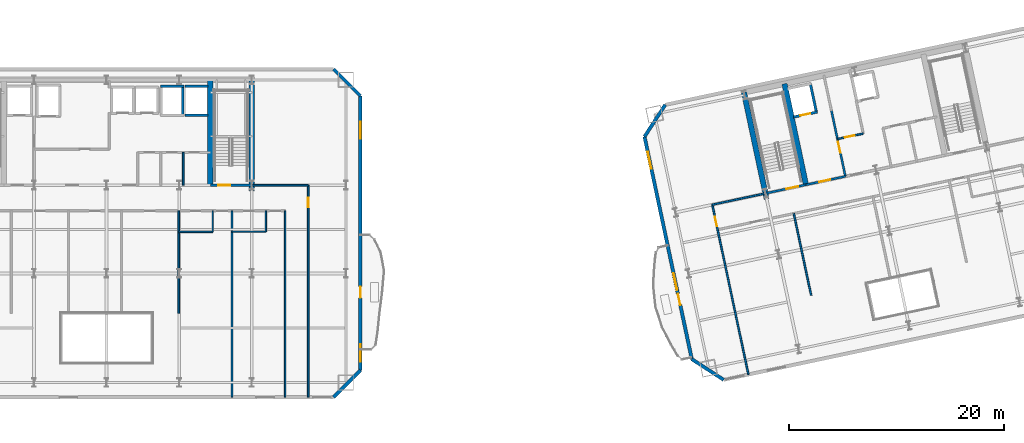
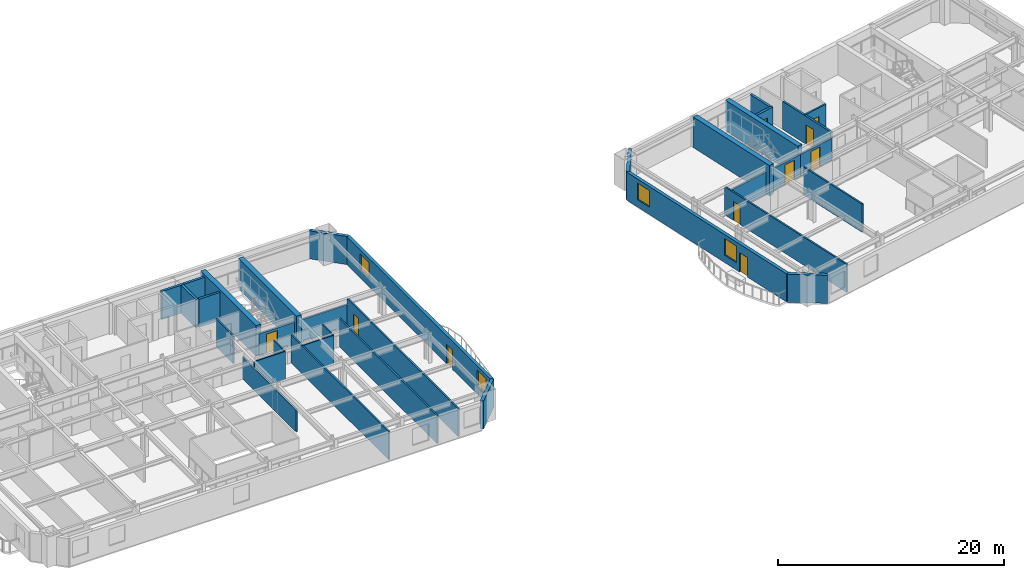
# One storey, part 7 of 14: 34 walls, 10 doors, 4 windows, 14 openings.
"""IFC4 building model written with IfcOpenShell, lengths in metres."""

from ifc_helpers import new_model, si_unit, direction, frame, frame_2d, origin, place, context, subcontext, project, spatial, rectangle, extrude, material, layer, layer_set, type_object, element, fill, save


model = new_model("IFC4")

# Units and contexts
model_context = context("Model", 3, precision=1e-05, world=origin(), true_north=direction((0.0, 1.0)))
body_context = subcontext(model_context, "Body", "Model", "MODEL_VIEW")
ifc_project = project(units=[si_unit("LENGTHUNIT", "METRE"), si_unit("AREAUNIT", "SQUARE_METRE"), si_unit("VOLUMEUNIT", "CUBIC_METRE"), si_unit("PLANEANGLEUNIT", "RADIAN"), si_unit("MASSUNIT", "GRAM", prefix="KILO")], contexts=[model_context])

# Site, building, storey
site_placement = place(None, origin())
site = spatial("IfcSite", under=ifc_project, at=site_placement, CompositionType="ELEMENT")
building_placement = place(site_placement, origin())
building = spatial("IfcBuilding", under=site, at=building_placement, Name="Haevon Station Towers", CompositionType="ELEMENT")
storey_placement = place(building_placement, frame((0.0, 0.0, 106.5)))
storey = spatial("IfcBuildingStorey", under=building, at=storey_placement, Name="L28", CompositionType="ELEMENT", Elevation=106.5)

# Wall, opening, door
ifc_material_1 = material(Name="Gypsum board on steel stud", Category="steel")
ifc_layer_1 = layer(ifc_material_1, 0.199951171875)
ifc_layer_set_1 = layer_set([ifc_layer_1], Name="Gypsum board on steel stud")
wall_type_1 = type_object("IfcWallType", Name="WL-COR200", PredefinedType="PARTITIONING", material=ifc_layer_set_1)
wall_1_placement = place(storey_placement, frame((47.14990234375, 38.199951171875, 0.0), z_axis=(0.0, 0.0, 1.0), x_axis=(1.0, 0.0, 0.0)))
wall_1 = element("IfcWall", 1, at=wall_1_placement, inside=storey, type_object=wall_type_1, Name="WL-ST-ST2-L28", PredefinedType="PARTITIONING", context=body_context, shape_type="SweptSolid", body=[
    extrude(rectangle(XDim=3.85009765625, YDim=0.199951171875, at=frame_2d((1.925048828125, 0.0))), origin(), (0.0, 0.0, 1.0), 2.3798828125),
])
opening_1_placement = place(wall_1_placement, frame((0.75, 0.0, 0.0)))
opening_1 = element("IfcOpeningElement", 2, at=opening_1_placement, cuts=wall_1, Name="Opening DR-ST-ST2-L28", PredefinedType="OPENING", context=body_context, shape_type="SweptSolid", body=[
    extrude(rectangle(XDim=1.1201171875, YDim=2.10009765625, at=frame_2d((0.56005859375, 1.050048828125))), frame((0.0, 0.10986328125, 0.0), z_axis=(0.0, -1.0, 0.0), x_axis=(1.0, 0.0, 0.0)), (0.0, 0.0, 1.0), 0.219970703125),
])
ifc_material_2 = material(Name="Engineered oak timber", Category="wood")
door_type_1 = type_object("IfcDoorType", Name="DR-ST-1120", OperationType="NOTDEFINED", PredefinedType="DOOR", material=ifc_material_2)
door_1_placement = place(opening_1_placement, origin())
door_1 = element("IfcDoor", 3, at=door_1_placement, inside=storey, type_object=door_type_1, Name="L28 Escape Stair ST2 Fire Door", OperationType="SINGLE_SWING_RIGHT", OverallHeight=2.10009765625, OverallWidth=1.1201171875, PredefinedType="DOOR", context=body_context, shape_type="SweptSolid", body=[
    extrude(rectangle(XDim=1.1201171875, YDim=2.10009765625, at=frame_2d((0.56005859375, 1.050048828125))), frame((0.0, 0.02490234375, 0.0), z_axis=(0.0, -1.0, 0.0), x_axis=(1.0, 0.0, 0.0)), (0.0, 0.0, 1.0), 0.050048828125),
])
fill(opening_1, door_1)

wall_2_placement = place(storey_placement, frame((98.75244140625, 37.4423828125, 0.0), z_axis=(0.0, 0.0, 1.0), x_axis=(0.978143537786, 0.207930804564, 0.0)))
wall_2 = element("IfcWall", 4, at=wall_2_placement, inside=storey, type_object=wall_type_1, Name="WL-ST-ST3-L28", PredefinedType="PARTITIONING", context=body_context, shape_type="SweptSolid", body=[
    extrude(rectangle(XDim=3.85009765625, YDim=0.199951171875, at=frame_2d((1.925048828125, 0.0))), origin(), (0.0, 0.0, 1.0), 2.3798828125),
])
opening_2_placement = place(wall_2_placement, frame((2.0, 0.0, 0.0)))
opening_2 = element("IfcOpeningElement", 5, at=opening_2_placement, cuts=wall_2, Name="Opening DR-ST-ST3-L28", PredefinedType="OPENING", context=body_context, shape_type="SweptSolid", body=[
    extrude(rectangle(XDim=1.1201171875, YDim=2.10009765625, at=frame_2d((0.56005859375, 1.050048828125))), frame((0.0, 0.10986328125, 0.0), z_axis=(0.0, -1.0, 0.0), x_axis=(1.0, 0.0, 0.0)), (0.0, 0.0, 1.0), 0.219970703125),
])
door_2_placement = place(opening_2_placement, origin())
door_2 = element("IfcDoor", 6, at=door_2_placement, inside=storey, type_object=door_type_1, Name="L28 Escape Stair ST3 Fire Door", OperationType="SINGLE_SWING_LEFT", OverallHeight=2.10009765625, OverallWidth=1.1201171875, PredefinedType="DOOR", context=body_context, shape_type="SweptSolid", body=[
    extrude(rectangle(XDim=1.1201171875, YDim=2.10009765625, at=frame_2d((0.56005859375, 1.050048828125))), frame((0.0, 0.02490234375, 0.0), z_axis=(0.0, -1.0, 0.0), x_axis=(1.0, 0.0, 0.0)), (0.0, 0.0, 1.0), 0.050048828125),
])
fill(opening_2, door_2)

wall_3_placement = place(storey_placement, frame((106.186279296875, 39.0224609375, 0.0), z_axis=(0.0, 0.0, 1.0), x_axis=(-0.207916691923, 0.978146537703, 0.0)))
wall_3 = element("IfcWall", 7, at=wall_3_placement, inside=storey, type_object=wall_type_1, Name="WL-T2FFL-L28-E", PredefinedType="PARTITIONING", context=body_context, shape_type="SweptSolid", body=[
    extrude(rectangle(XDim=6.35009765625, YDim=0.199951171875, at=frame_2d((3.175048828125, 0.0))), origin(), (0.0, 0.0, 1.0), 3.030029296875),
])
opening_3_placement = place(wall_3_placement, frame((2.239990234375, 0.0, 0.0)))
opening_3 = element("IfcOpeningElement", 8, at=opening_3_placement, cuts=wall_3, Name="Opening DR-T2FFL-L28-E", PredefinedType="OPENING", context=body_context, shape_type="SweptSolid", body=[
    extrude(rectangle(XDim=1.050048828125, YDim=2.10009765625, at=frame_2d((0.52490234375, 1.050048828125))), frame((0.0, 0.10986328125, 0.0), z_axis=(0.0, -1.0, 0.0), x_axis=(1.0, 0.0, 0.0)), (0.0, 0.0, 1.0), 0.219970703125),
])
door_type_2 = type_object("IfcDoorType", Name="DR-FD60-1050", OperationType="NOTDEFINED", PredefinedType="DOOR", material=ifc_material_2)
door_3_placement = place(opening_3_placement, origin())
door_3 = element("IfcDoor", 9, at=door_3_placement, inside=storey, type_object=door_type_2, Name="L28 Tower 2 Firefighting Lift Lobby Door E", OperationType="SINGLE_SWING_LEFT", OverallHeight=2.10009765625, OverallWidth=1.050048828125, PredefinedType="DOOR", context=body_context, shape_type="SweptSolid", body=[
    extrude(rectangle(XDim=1.050048828125, YDim=2.10009765625, at=frame_2d((0.52490234375, 1.050048828125))), frame((0.0, 0.02490234375, 0.0), z_axis=(0.0, -1.0, 0.0), x_axis=(1.0, 0.0, 0.0)), (0.0, 0.0, 1.0), 0.050048828125),
])
fill(opening_3, door_3)

wall_4_placement = place(storey_placement, frame((102.518310546875, 38.242919921875, 0.0), z_axis=(0.0, 0.0, 1.0), x_axis=(0.978153555683, 0.20788367301, 0.0)))
wall_4 = element("IfcWall", 10, at=wall_4_placement, inside=storey, type_object=wall_type_1, Name="WL-T2FFL-L28-S", PredefinedType="PARTITIONING", context=body_context, shape_type="SweptSolid", body=[
    extrude(rectangle(XDim=3.75, YDim=0.199951171875, at=frame_2d((1.875, 0.0))), origin(), (0.0, 0.0, 1.0), 2.3798828125),
])
opening_4_placement = place(wall_4_placement, frame((1.25, 0.0, 0.0)))
opening_4 = element("IfcOpeningElement", 11, at=opening_4_placement, cuts=wall_4, Name="Opening DR-T2FFL-L28-S", PredefinedType="OPENING", context=body_context, shape_type="SweptSolid", body=[
    extrude(rectangle(XDim=1.050048828125, YDim=2.10009765625, at=frame_2d((0.52490234375, 1.050048828125))), frame((0.0, 0.10986328125, 0.0), z_axis=(0.0, -1.0, 0.0), x_axis=(1.0, 0.0, 0.0)), (0.0, 0.0, 1.0), 0.219970703125),
])
door_4_placement = place(opening_4_placement, origin())
door_4 = element("IfcDoor", 12, at=door_4_placement, inside=storey, type_object=door_type_2, Name="L28 Tower 2 Firefighting Lift Lobby Door S", OperationType="SINGLE_SWING_RIGHT", OverallHeight=2.10009765625, OverallWidth=1.050048828125, PredefinedType="DOOR", context=body_context, shape_type="SweptSolid", body=[
    extrude(rectangle(XDim=1.050048828125, YDim=2.10009765625, at=frame_2d((0.52490234375, 1.050048828125))), frame((0.0, 0.02490234375, 0.0), z_axis=(0.0, -1.0, 0.0), x_axis=(1.0, 0.0, 0.0)), (0.0, 0.0, 1.0), 0.050048828125),
])
fill(opening_4, door_4)

# Walls
ifc_material_3 = material(Name="Concrete C60/75", Category="concrete")
ifc_layer_2 = layer(ifc_material_3, 0.5)
ifc_layer_set_2 = layer_set([ifc_layer_2], Name="Concrete C60/75")
wall_type_2 = type_object("IfcWallType", Name="WL-CR500", PredefinedType="SHEAR", material=ifc_layer_set_2)
wall_5_placement = place(storey_placement, frame((51.0, 37.679931640625, 0.0), z_axis=(0.0, 0.0, 1.0), x_axis=(0.0, 1.0, 0.0)))
element("IfcWall", 13, at=wall_5_placement, inside=storey, type_object=wall_type_2, Name="WL-T1CR-L28-E", PredefinedType="SHEAR", context=body_context, shape_type="SweptSolid", body=[
    extrude(rectangle(XDim=10.320068359375, YDim=0.5, at=frame_2d((5.16015625, 0.0))), origin(), (0.0, 0.0, 1.0), 3.300048828125),
])
wall_6_placement = place(storey_placement, frame((47.14990234375, 38.199951171875, 0.0), z_axis=(0.0, 0.0, 1.0), x_axis=(0.0, 1.0, 0.0)))
element("IfcWall", 14, at=wall_6_placement, inside=storey, type_object=wall_type_2, Name="WL-T1CR-L28-M2", PredefinedType="SHEAR", context=body_context, shape_type="SweptSolid", body=[
    extrude(rectangle(XDim=9.800048828125, YDim=0.5, at=frame_2d((4.89990234375, 0.0))), origin(), (0.0, 0.0, 1.0), 3.300048828125),
])
wall_7_placement = place(storey_placement, frame((98.8603515625, 36.933837890625, 0.0), z_axis=(0.0, 0.0, 1.0), x_axis=(-0.20790924889, 0.978148119778, 0.0)))
element("IfcWall", 15, at=wall_7_placement, inside=storey, type_object=wall_type_2, Name="WL-T2CR-L28-W", PredefinedType="SHEAR", context=body_context, shape_type="SweptSolid", body=[
    extrude(rectangle(XDim=10.119873046875, YDim=0.5, at=frame_2d((5.06005859375, 0.0))), origin(), (0.0, 0.0, 1.0), 3.300048828125),
])
wall_8_placement = place(storey_placement, frame((102.518310546875, 38.242919921875, 0.0), z_axis=(0.0, 0.0, 1.0), x_axis=(-0.207927495108, 0.978144241295, 0.0)))
element("IfcWall", 16, at=wall_8_placement, inside=storey, type_object=wall_type_2, Name="WL-T2CR-L28-M1", PredefinedType="SHEAR", context=body_context, shape_type="SweptSolid", body=[
    extrude(rectangle(XDim=9.599853515625, YDim=0.5, at=frame_2d((4.7998046875, 0.0))), origin(), (0.0, 0.0, 1.0), 3.300048828125),
])
ifc_material_4 = material(Name="Precast concrete C45/55", Category="concrete")
ifc_layer_3 = layer(ifc_material_4, 0.320068359375)
ifc_layer_set_3 = layer_set([ifc_layer_3], Name="Precast concrete C45/55")
wall_type_3 = type_object("IfcWallType", Name="WL-EXT-PIER320", PredefinedType="SOLIDWALL", material=ifc_layer_set_3)
wall_9_placement = place(storey_placement, frame((58.60009765625, 49.0, 0.0), z_axis=(0.0, 0.0, 1.0), x_axis=(0.707106781187, -0.707106781187, 0.0)))
element("IfcWall", 17, at=wall_9_placement, inside=storey, type_object=wall_type_3, Name="WL-T1-L28-NEC", PredefinedType="SOLIDWALL", context=body_context, shape_type="SweptSolid", body=[
    extrude(rectangle(XDim=3.53564453125, YDim=0.320068359375, at=frame_2d((1.767822265625, 0.0))), origin(), (0.0, 0.0, 1.0), 3.030029296875),
])

# Wall, openings, door, windows
wall_10_placement = place(storey_placement, frame((61.10009765625, 46.5, 0.0), z_axis=(0.0, 0.0, 1.0), x_axis=(0.0, -1.0, 0.0)))
wall_10 = element("IfcWall", 18, at=wall_10_placement, inside=storey, type_object=wall_type_3, Name="WL-T1-L28-E", PredefinedType="SOLIDWALL", context=body_context, shape_type="SweptSolid", body=[
    extrude(rectangle(XDim=25.5, YDim=0.320068359375, at=frame_2d((12.75, 0.0))), origin(), (0.0, 0.0, 1.0), 3.030029296875),
])
opening_5_placement = place(wall_10_placement, frame((17.72509765625, 0.0, 0.0)))
opening_5 = element("IfcOpeningElement", 19, at=opening_5_placement, cuts=wall_10, Name="Opening DR-T1-SCAL-L28-E", PredefinedType="OPENING", context=body_context, shape_type="SweptSolid", body=[
    extrude(rectangle(XDim=1.050048828125, YDim=2.10009765625, at=frame_2d((0.52490234375, 1.050048828125))), frame((0.0, 0.169921875, 0.0), z_axis=(0.0, -1.0, 0.0), x_axis=(1.0, 0.0, 0.0)), (0.0, 0.0, 1.0), 0.340087890625),
])
opening_6_placement = place(wall_10_placement, frame((2.392822265625, 0.0, 0.800048828125)))
opening_6 = element("IfcOpeningElement", 20, at=opening_6_placement, cuts=wall_10, Name="Opening WN-END160", PredefinedType="OPENING", context=body_context, shape_type="SweptSolid", body=[
    extrude(rectangle(XDim=1.60009765625, YDim=1.800048828125, at=frame_2d((0.800048828125, 0.89990234375))), frame((0.0, 0.169921875, 0.0), z_axis=(0.0, -1.0, 0.0), x_axis=(1.0, 0.0, 0.0)), (0.0, 0.0, 1.0), 0.340087890625),
])
opening_7_placement = place(wall_10_placement, frame((23.10009765625, 0.0, 0.800048828125)))
opening_7 = element("IfcOpeningElement", 21, at=opening_7_placement, cuts=wall_10, Name="Opening WN-END160", PredefinedType="OPENING", context=body_context, shape_type="SweptSolid", body=[
    extrude(rectangle(XDim=1.60009765625, YDim=1.800048828125, at=frame_2d((0.800048828125, 0.89990234375))), frame((0.0, 0.169921875, 0.0), z_axis=(0.0, -1.0, 0.0), x_axis=(1.0, 0.0, 0.0)), (0.0, 0.0, 1.0), 0.340087890625),
])
ifc_material_5 = material(Name="Thermally broken anodised aluminium and laminated safety glass", Category="aluminium")
door_type_3 = type_object("IfcDoorType", Name="DR-BALC-1050", OperationType="NOTDEFINED", PredefinedType="DOOR", material=ifc_material_5)
door_5_placement = place(opening_5_placement, origin())
door_5 = element("IfcDoor", 22, at=door_5_placement, inside=storey, type_object=door_type_3, Name="Tower 1 L28 East Scalloped Balcony Door", OperationType="SINGLE_SWING_LEFT", OverallHeight=2.10009765625, OverallWidth=1.050048828125, PredefinedType="DOOR", context=body_context, shape_type="SweptSolid", body=[
    extrude(rectangle(XDim=1.050048828125, YDim=2.10009765625, at=frame_2d((0.52490234375, 1.050048828125))), frame((0.0, 0.02490234375, 0.0), z_axis=(0.0, -1.0, 0.0), x_axis=(1.0, 0.0, 0.0)), (0.0, 0.0, 1.0), 0.050048828125),
])
fill(opening_5, door_5)
ifc_material_6 = material(Name="Low-E triple glazing in thermally broken aluminium", Category="aluminium")
window_type = type_object("IfcWindowType", Name="WN-END160", PartitioningType="SINGLE_PANEL", PredefinedType="WINDOW", material=ifc_material_6)
window_1_placement = place(opening_6_placement, origin())
window_1 = element("IfcWindow", 23, at=window_1_placement, inside=storey, type_object=window_type, Name="WN-T1-L28-E01", OverallHeight=1.800048828125, OverallWidth=1.60009765625, PartitioningType="SINGLE_PANEL", PredefinedType="WINDOW", context=body_context, shape_type="SweptSolid", body=[
    extrude(rectangle(XDim=1.60009765625, YDim=1.800048828125, at=frame_2d((0.800048828125, 0.89990234375))), frame((0.0, 0.030029296875, 0.0), z_axis=(0.0, -1.0, 0.0), x_axis=(1.0, 0.0, 0.0)), (0.0, 0.0, 1.0), 0.06005859375),
])
fill(opening_6, window_1)
window_2_placement = place(opening_7_placement, origin())
window_2 = element("IfcWindow", 24, at=window_2_placement, inside=storey, type_object=window_type, Name="WN-T1-L28-E02", OverallHeight=1.800048828125, OverallWidth=1.60009765625, PartitioningType="SINGLE_PANEL", PredefinedType="WINDOW", context=body_context, shape_type="SweptSolid", body=[
    extrude(rectangle(XDim=1.60009765625, YDim=1.800048828125, at=frame_2d((0.800048828125, 0.89990234375))), frame((0.0, 0.030029296875, 0.0), z_axis=(0.0, -1.0, 0.0), x_axis=(1.0, 0.0, 0.0)), (0.0, 0.0, 1.0), 0.06005859375),
])
fill(opening_7, window_2)

# Walls
for number, where, z_axis, x_axis, name in (
    (25, (61.10009765625, 21.0, 0.0), (0.0, 0.0, 1.0), (-0.707106781187, -0.707106781187, 0.0), "WL-T1-L28-SEC"),
    (26, (94.871826171875, 20.106689453125, 0.0), (0.0, 0.0, 1.0), (-0.838640767148, 0.544684921471, 0.0), "WL-T2-L28-SWC"),
):
    element("IfcWall", number, at=place(storey_placement, frame(where, z_axis=z_axis, x_axis=x_axis)), inside=storey, type_object=wall_type_3, Name=name, PredefinedType="SOLIDWALL", context=body_context, shape_type="SweptSolid", body=[
        extrude(rectangle(XDim=3.53564453125, YDim=0.320068359375, at=frame_2d((1.767822265625, 0.0))), origin(), (0.0, 0.0, 1.0), 3.030029296875),
    ])

# Wall, openings, door, windows
wall_11_placement = place(storey_placement, frame((91.90673828125, 22.032470703125, 0.0), z_axis=(0.0, 0.0, 1.0), x_axis=(-0.207918258146, 0.978146204782, 0.0)))
wall_11 = element("IfcWall", 27, at=wall_11_placement, inside=storey, type_object=wall_type_3, Name="WL-T2-L28-W", PredefinedType="SOLIDWALL", context=body_context, shape_type="SweptSolid", body=[
    extrude(rectangle(XDim=21.14990234375, YDim=0.320068359375, at=frame_2d((10.574951171875, 0.0))), origin(), (0.0, 0.0, 1.0), 3.030029296875),
])
opening_8_placement = place(wall_11_placement, frame((5.14990234375, 0.0, 0.0)))
opening_8 = element("IfcOpeningElement", 28, at=opening_8_placement, cuts=wall_11, Name="Opening DR-T2-SCAL-L28-W", PredefinedType="OPENING", context=body_context, shape_type="SweptSolid", body=[
    extrude(rectangle(XDim=1.050048828125, YDim=2.10009765625, at=frame_2d((0.52490234375, 1.050048828125))), frame((0.0, 0.169921875, 0.0), z_axis=(0.0, -1.0, 0.0), x_axis=(1.0, 0.0, 0.0)), (0.0, 0.0, 1.0), 0.340087890625),
])
opening_9_placement = place(wall_11_placement, frame((6.569580078125, 0.0, 0.800048828125)))
opening_9 = element("IfcOpeningElement", 29, at=opening_9_placement, cuts=wall_11, Name="Opening WN-END160", PredefinedType="OPENING", context=body_context, shape_type="SweptSolid", body=[
    extrude(rectangle(XDim=1.60009765625, YDim=1.800048828125, at=frame_2d((0.800048828125, 0.89990234375))), frame((0.0, 0.169921875, 0.0), z_axis=(0.0, -1.0, 0.0), x_axis=(1.0, 0.0, 0.0)), (0.0, 0.0, 1.0), 0.340087890625),
])
opening_10_placement = place(wall_11_placement, frame((18.10888671875, 0.0, 0.800048828125)))
opening_10 = element("IfcOpeningElement", 30, at=opening_10_placement, cuts=wall_11, Name="Opening WN-END160", PredefinedType="OPENING", context=body_context, shape_type="SweptSolid", body=[
    extrude(rectangle(XDim=1.60009765625, YDim=1.800048828125, at=frame_2d((0.800048828125, 0.89990234375))), frame((0.0, 0.169921875, 0.0), z_axis=(0.0, -1.0, 0.0), x_axis=(1.0, 0.0, 0.0)), (0.0, 0.0, 1.0), 0.340087890625),
])
door_6_placement = place(opening_8_placement, origin())
door_6 = element("IfcDoor", 31, at=door_6_placement, inside=storey, type_object=door_type_3, Name="Tower 2 L28 West Scalloped Balcony Door", OperationType="SINGLE_SWING_RIGHT", OverallHeight=2.10009765625, OverallWidth=1.050048828125, PredefinedType="DOOR", context=body_context, shape_type="SweptSolid", body=[
    extrude(rectangle(XDim=1.050048828125, YDim=2.10009765625, at=frame_2d((0.52490234375, 1.050048828125))), frame((0.0, 0.02490234375, 0.0), z_axis=(0.0, -1.0, 0.0), x_axis=(1.0, 0.0, 0.0)), (0.0, 0.0, 1.0), 0.050048828125),
])
fill(opening_8, door_6)
window_3_placement = place(opening_9_placement, origin())
window_3 = element("IfcWindow", 32, at=window_3_placement, inside=storey, type_object=window_type, Name="WN-T2-L28-W01", OverallHeight=1.800048828125, OverallWidth=1.60009765625, PartitioningType="SINGLE_PANEL", PredefinedType="WINDOW", context=body_context, shape_type="SweptSolid", body=[
    extrude(rectangle(XDim=1.60009765625, YDim=1.800048828125, at=frame_2d((0.800048828125, 0.89990234375))), frame((0.0, 0.030029296875, 0.0), z_axis=(0.0, -1.0, 0.0), x_axis=(1.0, 0.0, 0.0)), (0.0, 0.0, 1.0), 0.06005859375),
])
fill(opening_9, window_3)
window_4_placement = place(opening_10_placement, origin())
window_4 = element("IfcWindow", 33, at=window_4_placement, inside=storey, type_object=window_type, Name="WN-T2-L28-W02", OverallHeight=1.800048828125, OverallWidth=1.60009765625, PartitioningType="SINGLE_PANEL", PredefinedType="WINDOW", context=body_context, shape_type="SweptSolid", body=[
    extrude(rectangle(XDim=1.60009765625, YDim=1.800048828125, at=frame_2d((0.800048828125, 0.89990234375))), frame((0.0, 0.030029296875, 0.0), z_axis=(0.0, -1.0, 0.0), x_axis=(1.0, 0.0, 0.0)), (0.0, 0.0, 1.0), 0.06005859375),
])
fill(opening_10, window_4)

# Walls
wall_12_placement = place(storey_placement, frame((87.50927734375, 42.72021484375, 0.0), z_axis=(0.0, 0.0, 1.0), x_axis=(0.544684921471, 0.838640767148, 0.0)))
element("IfcWall", 34, at=wall_12_placement, inside=storey, type_object=wall_type_3, Name="WL-T2-L28-NWC", PredefinedType="SOLIDWALL", context=body_context, shape_type="SweptSolid", body=[
    extrude(rectangle(XDim=3.53564453125, YDim=0.320068359375, at=frame_2d((1.767822265625, 0.0))), origin(), (0.0, 0.0, 1.0), 3.030029296875),
])
ifc_layer_4 = layer(ifc_material_1, 0.125)
ifc_layer_set_4 = layer_set([ifc_layer_4], Name="Gypsum board on steel stud")
wall_type_4 = type_object("IfcWallType", Name="WL-PRT125", PredefinedType="PARTITIONING", material=ifc_layer_set_4)
wall_13_placement = place(storey_placement, frame((47.37109375, 33.8701171875, 0.0), z_axis=(0.0, 0.0, 1.0), x_axis=(0.0, 1.0, 0.0)))
element("IfcWall", 35, at=wall_13_placement, inside=storey, type_object=wall_type_4, Name="WL-T1PT-L28-21", PredefinedType="PARTITIONING", context=body_context, shape_type="SweptSolid", body=[
    extrude(rectangle(XDim=1.949951171875, YDim=0.125, at=frame_2d((0.97509765625, 0.0))), origin(), (0.0, 0.0, 1.0), 3.030029296875),
])
wall_14_placement = place(storey_placement, frame((49.15087890625, 33.8701171875, 0.0), z_axis=(0.0, 0.0, 1.0), x_axis=(1.0, 0.0, 0.0)))
element("IfcWall", 36, at=wall_14_placement, inside=storey, type_object=wall_type_4, Name="WL-T1PT-L28-23", PredefinedType="PARTITIONING", context=body_context, shape_type="SweptSolid", body=[
    extrude(rectangle(XDim=3.169189453125, YDim=0.125, at=frame_2d((1.58447265625, 0.0))), origin(), (0.0, 0.0, 1.0), 3.030029296875),
])
ifc_layer_5 = layer(ifc_material_1, 0.139892578125)
ifc_layer_set_5 = layer_set([ifc_layer_5], Name="Gypsum board on steel stud")
wall_type_5 = type_object("IfcWallType", Name="WL-PRT140", PredefinedType="PARTITIONING", material=ifc_layer_set_5)
wall_15_placement = place(storey_placement, frame((44.201904296875, 33.8701171875, 0.0), z_axis=(0.0, 0.0, 1.0), x_axis=(1.0, 0.0, 0.0)))
element("IfcWall", 37, at=wall_15_placement, inside=storey, type_object=wall_type_5, Name="WL-T1PT-L28-20", PredefinedType="PARTITIONING", context=body_context, shape_type="SweptSolid", body=[
    extrude(rectangle(XDim=3.169189453125, YDim=0.139892578125, at=frame_2d((1.58447265625, 0.0))), origin(), (0.0, 0.0, 1.0), 3.030029296875),
])
wall_16_placement = place(storey_placement, frame((52.320068359375, 33.8701171875, 0.0), z_axis=(0.0, 0.0, 1.0), x_axis=(0.0, 1.0, 0.0)))
element("IfcWall", 38, at=wall_16_placement, inside=storey, type_object=wall_type_5, Name="WL-T1PT-L28-24", PredefinedType="PARTITIONING", context=body_context, shape_type="SweptSolid", body=[
    extrude(rectangle(XDim=1.949951171875, YDim=0.139892578125, at=frame_2d((0.97509765625, 0.0))), origin(), (0.0, 0.0, 1.0), 3.030029296875),
])
ifc_layer_6 = layer(ifc_material_1, 0.159912109375)
ifc_layer_set_6 = layer_set([ifc_layer_6], Name="Gypsum board on steel stud")
wall_type_6 = type_object("IfcWallType", Name="WL-PRT160", PredefinedType="PARTITIONING", material=ifc_layer_set_6)
wall_17_placement = place(storey_placement, frame((44.6298828125, 38.199951171875, 0.0), z_axis=(0.0, 0.0, 1.0), x_axis=(0.0, 1.0, 0.0)))
element("IfcWall", 39, at=wall_17_placement, inside=storey, type_object=wall_type_6, Name="WL-T1CW-L28-06", PredefinedType="PARTITIONING", context=body_context, shape_type="SweptSolid", body=[
    extrude(rectangle(XDim=3.050048828125, YDim=0.159912109375, at=frame_2d((1.52490234375, 0.0))), origin(), (0.0, 0.0, 1.0), 3.030029296875),
])
wall_18_placement = place(storey_placement, frame((54.10009765625, 18.5, 0.0), z_axis=(0.0, 0.0, 1.0), x_axis=(0.0, 1.0, 0.0)))
element("IfcWall", 40, at=wall_18_placement, inside=storey, type_object=wall_type_6, Name="WL-T1PT-L28-01", PredefinedType="PARTITIONING", context=body_context, shape_type="SweptSolid", body=[
    extrude(rectangle(XDim=17.320068359375, YDim=0.159912109375, at=frame_2d((8.66015625, 0.0))), origin(), (0.0, 0.0, 1.0), 3.030029296875),
])
wall_19_placement = place(storey_placement, frame((51.0, 38.199951171875, 0.0), z_axis=(0.0, 0.0, 1.0), x_axis=(1.0, 0.0, 0.0)))
element("IfcWall", 41, at=wall_19_placement, inside=storey, type_object=wall_type_6, Name="WL-T1PT-L28-03", PredefinedType="PARTITIONING", context=body_context, shape_type="SweptSolid", body=[
    extrude(rectangle(XDim=5.25, YDim=0.159912109375, at=frame_2d((2.625, 0.0))), origin(), (0.0, 0.0, 1.0), 2.3798828125),
])

# Wall, opening, door
wall_20_placement = place(storey_placement, frame((56.25, 18.5, 0.0), z_axis=(0.0, 0.0, 1.0), x_axis=(0.0, 1.0, 0.0)))
wall_20 = element("IfcWall", 42, at=wall_20_placement, inside=storey, type_object=wall_type_6, Name="WL-T1PT-L28-05", PredefinedType="PARTITIONING", context=body_context, shape_type="SweptSolid", body=[
    extrude(rectangle(XDim=19.699951171875, YDim=0.159912109375, at=frame_2d((9.85009765625, 0.0))), origin(), (0.0, 0.0, 1.0), 3.030029296875),
])
opening_11_placement = place(wall_20_placement, frame((17.639892578125, 0.0, 0.0)))
opening_11 = element("IfcOpeningElement", 43, at=opening_11_placement, cuts=wall_20, Name="Opening DR-WL-T1PT-L28-05-01", PredefinedType="OPENING", context=body_context, shape_type="SweptSolid", body=[
    extrude(rectangle(XDim=0.89990234375, YDim=2.050048828125, at=frame_2d((0.449951171875, 1.02490234375))), frame((0.0, 0.08984375, 0.0), z_axis=(0.0, -1.0, 0.0), x_axis=(1.0, 0.0, 0.0)), (0.0, 0.0, 1.0), 0.179931640625),
])
door_type_4 = type_object("IfcDoorType", Name="DR-INT-900", OperationType="NOTDEFINED", PredefinedType="DOOR", material=ifc_material_2)
door_7_placement = place(opening_11_placement, origin())
door_7 = element("IfcDoor", 44, at=door_7_placement, inside=storey, type_object=door_type_4, Name="L28 Tower 1 Room Door 5-1", OperationType="SINGLE_SWING_RIGHT", OverallHeight=2.050048828125, OverallWidth=0.89990234375, PredefinedType="DOOR", context=body_context, shape_type="SweptSolid", body=[
    extrude(rectangle(XDim=0.89990234375, YDim=2.050048828125, at=frame_2d((0.449951171875, 1.02490234375))), frame((0.0, 0.02490234375, 0.0), z_axis=(0.0, -1.0, 0.0), x_axis=(1.0, 0.0, 0.0)), (0.0, 0.0, 1.0), 0.050048828125),
])
fill(opening_11, door_7)

# Walls
wall_21_placement = place(storey_placement, frame((44.201904296875, 26.300048828125, 0.0), z_axis=(0.0, 0.0, 1.0), x_axis=(0.0, 1.0, 0.0)))
element("IfcWall", 45, at=wall_21_placement, inside=storey, type_object=wall_type_6, Name="WL-T1PT-L28-18", PredefinedType="PARTITIONING", context=body_context, shape_type="SweptSolid", body=[
    extrude(rectangle(XDim=9.52001953125, YDim=0.159912109375, at=frame_2d((4.760009765625, 0.0))), origin(), (0.0, 0.0, 1.0), 2.3798828125),
])
wall_22_placement = place(storey_placement, frame((49.15087890625, 18.5, 0.0), z_axis=(0.0, 0.0, 1.0), x_axis=(0.0, 1.0, 0.0)))
element("IfcWall", 46, at=wall_22_placement, inside=storey, type_object=wall_type_6, Name="WL-T1PT-L28-22", PredefinedType="PARTITIONING", context=body_context, shape_type="SweptSolid", body=[
    extrude(rectangle(XDim=17.320068359375, YDim=0.159912109375, at=frame_2d((8.66015625, 0.0))), origin(), (0.0, 0.0, 1.0), 3.030029296875),
])

# Wall, opening, door
wall_23_placement = place(storey_placement, frame((105.4482421875, 42.494873046875, 0.0), z_axis=(0.0, 0.0, 1.0), x_axis=(0.978136559131, 0.207963630695, 0.0)))
wall_23 = element("IfcWall", 47, at=wall_23_placement, inside=storey, type_object=wall_type_6, Name="WL-T2CW-L28-02", PredefinedType="PARTITIONING", context=body_context, shape_type="SweptSolid", body=[
    extrude(rectangle(XDim=2.449951171875, YDim=0.159912109375, at=frame_2d((1.22509765625, 0.0))), origin(), (0.0, 0.0, 1.0), 3.030029296875),
])
opening_12_placement = place(wall_23_placement, frame((0.719970703125, 0.0, 0.0)))
opening_12 = element("IfcOpeningElement", 48, at=opening_12_placement, cuts=wall_23, Name="Opening DR-WL-T2CW-L28-02-1", PredefinedType="OPENING", context=body_context, shape_type="SweptSolid", body=[
    extrude(rectangle(XDim=0.89990234375, YDim=2.10009765625, at=frame_2d((0.449951171875, 1.050048828125))), frame((0.0, 0.08984375, 0.0), z_axis=(0.0, -1.0, 0.0), x_axis=(1.0, 0.0, 0.0)), (0.0, 0.0, 1.0), 0.179931640625),
])
door_type_5 = type_object("IfcDoorType", Name="DR-FD60-900", OperationType="NOTDEFINED", PredefinedType="DOOR", material=ifc_material_2)
door_8_placement = place(opening_12_placement, origin())
door_8 = element("IfcDoor", 49, at=door_8_placement, inside=storey, type_object=door_type_5, Name="L28 Tower 2 Core Room Door 2-1", OperationType="SINGLE_SWING_LEFT", OverallHeight=2.10009765625, OverallWidth=0.89990234375, PredefinedType="DOOR", context=body_context, shape_type="SweptSolid", body=[
    extrude(rectangle(XDim=0.89990234375, YDim=2.10009765625, at=frame_2d((0.449951171875, 1.050048828125))), frame((0.0, 0.02490234375, 0.0), z_axis=(0.0, -1.0, 0.0), x_axis=(1.0, 0.0, 0.0)), (0.0, 0.0, 1.0), 0.050048828125),
])
fill(opening_12, door_8)

# Wall
wall_24_placement = place(storey_placement, frame((93.812744140625, 36.392578125, 0.0), z_axis=(0.0, 0.0, 1.0), x_axis=(0.978154058851, 0.207881305445, 0.0)))
element("IfcWall", 50, at=wall_24_placement, inside=storey, type_object=wall_type_6, Name="WL-T2PT-L28-02", PredefinedType="PARTITIONING", context=body_context, shape_type="SweptSolid", body=[
    extrude(rectangle(XDim=5.050048828125, YDim=0.159912109375, at=frame_2d((2.52490234375, 0.0))), origin(), (0.0, 0.0, 1.0), 2.3798828125),
])

# Wall, opening, door
wall_25_placement = place(storey_placement, frame((97.17041015625, 20.595458984375, 0.0), z_axis=(0.0, 0.0, 1.0), x_axis=(-0.20790485933, 0.978149052786, 0.0)))
wall_25 = element("IfcWall", 51, at=wall_25_placement, inside=storey, type_object=wall_type_6, Name="WL-T2PT-L28-04", PredefinedType="PARTITIONING", context=body_context, shape_type="SweptSolid", body=[
    extrude(rectangle(XDim=16.14990234375, YDim=0.159912109375, at=frame_2d((8.074951171875, 0.0))), origin(), (0.0, 0.0, 1.0), 3.030029296875),
])
opening_13_placement = place(wall_25_placement, frame((14.090087890625, 0.0, 0.0)))
opening_13 = element("IfcOpeningElement", 52, at=opening_13_placement, cuts=wall_25, Name="Opening DR-WL-T2PT-L28-04-01", PredefinedType="OPENING", context=body_context, shape_type="SweptSolid", body=[
    extrude(rectangle(XDim=0.89990234375, YDim=2.050048828125, at=frame_2d((0.449951171875, 1.02490234375))), frame((0.0, 0.08984375, 0.0), z_axis=(0.0, -1.0, 0.0), x_axis=(1.0, 0.0, 0.0)), (0.0, 0.0, 1.0), 0.179931640625),
])
door_9_placement = place(opening_13_placement, origin())
door_9 = element("IfcDoor", 53, at=door_9_placement, inside=storey, type_object=door_type_4, Name="L28 Tower 2 Room Door 4-1", OperationType="SINGLE_SWING_RIGHT", OverallHeight=2.050048828125, OverallWidth=0.89990234375, PredefinedType="DOOR", context=body_context, shape_type="SweptSolid", body=[
    extrude(rectangle(XDim=0.89990234375, YDim=2.050048828125, at=frame_2d((0.449951171875, 1.02490234375))), frame((0.0, 0.02490234375, 0.0), z_axis=(0.0, -1.0, 0.0), x_axis=(1.0, 0.0, 0.0)), (0.0, 0.0, 1.0), 0.050048828125),
])
fill(opening_13, door_9)

# Walls
wall_26_placement = place(storey_placement, frame((103.00244140625, 27.968994140625, 0.0), z_axis=(0.0, 0.0, 1.0), x_axis=(-0.207908735063, 0.978148228994, 0.0)))
element("IfcWall", 54, at=wall_26_placement, inside=storey, type_object=wall_type_6, Name="WL-T2PT-L28-10", PredefinedType="PARTITIONING", context=body_context, shape_type="SweptSolid", body=[
    extrude(rectangle(XDim=7.77001953125, YDim=0.159912109375, at=frame_2d((3.885009765625, 0.0))), origin(), (0.0, 0.0, 1.0), 3.030029296875),
])
ifc_material_7 = material(Name="Concrete C40/50", Category="concrete")
ifc_layer_7 = layer(ifc_material_7, 0.239990234375)
ifc_layer_set_7 = layer_set([ifc_layer_7], Name="Concrete C40/50")
wall_type_7 = type_object("IfcWallType", Name="WL-SHF240", PredefinedType="PARTITIONING", material=ifc_layer_set_7)
wall_27_placement = place(storey_placement, frame((42.52001953125, 47.39990234375, 0.0), z_axis=(0.0, 0.0, 1.0), x_axis=(1.0, 0.0, 0.0)))
element("IfcWall", 55, at=wall_27_placement, inside=storey, type_object=wall_type_7, Name="WL-SHF-PL5-L28-N", PredefinedType="PARTITIONING", context=body_context, shape_type="SweptSolid", body=[
    extrude(rectangle(XDim=2.159912109375, YDim=0.239990234375, at=frame_2d((1.080078125, 0.0))), origin(), (0.0, 0.0, 1.0), 3.030029296875),
])
wall_28_placement = place(storey_placement, frame((44.60009765625, 44.699951171875, 0.0), z_axis=(0.0, 0.0, 1.0), x_axis=(0.0, 1.0, 0.0)))
element("IfcWall", 56, at=wall_28_placement, inside=storey, type_object=wall_type_7, Name="WL-SHF-PL5-L28-E", PredefinedType="PARTITIONING", context=body_context, shape_type="SweptSolid", body=[
    extrude(rectangle(XDim=2.699951171875, YDim=0.239990234375, at=frame_2d((1.35009765625, 0.0))), origin(), (0.0, 0.0, 1.0), 3.030029296875),
])
for number, where, z_axis, x_axis, name in (
    (57, (44.77001953125, 44.699951171875, 0.0), (0.0, 0.0, 1.0), (1.0, 0.0, 0.0), "WL-SHF-PL6-L28"),
    (58, (44.77001953125, 47.39990234375, 0.0), (0.0, 0.0, 1.0), (1.0, 0.0, 0.0), "WL-SHF-PL6-L28-N"),
):
    element("IfcWall", number, at=place(storey_placement, frame(where, z_axis=z_axis, x_axis=x_axis)), inside=storey, type_object=wall_type_7, Name=name, PredefinedType="PARTITIONING", context=body_context, shape_type="SweptSolid", body=[
        extrude(rectangle(XDim=2.159912109375, YDim=0.239990234375, at=frame_2d((1.080078125, 0.0))), origin(), (0.0, 0.0, 1.0), 3.030029296875),
    ])

# Wall, opening, door
wall_29_placement = place(storey_placement, frame((101.353759765625, 44.538330078125, 0.0), z_axis=(0.0, 0.0, 1.0), x_axis=(0.978141002414, 0.207942731049, 0.0)))
wall_29 = element("IfcWall", 59, at=wall_29_placement, inside=storey, type_object=wall_type_7, Name="WL-SHF-FL2-L28", PredefinedType="PARTITIONING", context=body_context, shape_type="SweptSolid", body=[
    extrude(rectangle(XDim=2.260009765625, YDim=0.239990234375, at=frame_2d((1.1298828125, 0.0))), origin(), (0.0, 0.0, 1.0), 3.030029296875),
])
opening_14_placement = place(wall_29_placement, frame((0.655029296875, 0.0, 0.0)))
opening_14 = element("IfcOpeningElement", 60, at=opening_14_placement, cuts=wall_29, Name="Opening LD-FL2-L28", PredefinedType="OPENING", context=body_context, shape_type="SweptSolid", body=[
    extrude(rectangle(XDim=0.949951171875, YDim=2.14990234375, at=frame_2d((0.47509765625, 1.074951171875))), frame((0.0, 0.1298828125, 0.0), z_axis=(0.0, -1.0, 0.0), x_axis=(1.0, 0.0, 0.0)), (0.0, 0.0, 1.0), 0.260009765625),
])
ifc_material_8 = material(Name="Stainless steel and rated core", Category="steel")
door_type_6 = type_object("IfcDoorType", Name="LD-FL950", OperationType="SLIDING_TO_LEFT", PredefinedType="DOOR", material=ifc_material_8)
door_10_placement = place(opening_14_placement, origin())
door_10 = element("IfcDoor", 61, at=door_10_placement, inside=storey, type_object=door_type_6, Name="L28 Lift FL2 Sliding Landing Door", OperationType="SLIDING_TO_LEFT", OverallHeight=2.14990234375, OverallWidth=0.949951171875, PredefinedType="DOOR", context=body_context, shape_type="SweptSolid", body=[
    extrude(rectangle(XDim=0.949951171875, YDim=2.14990234375, at=frame_2d((0.47509765625, 1.074951171875))), frame((0.0, 0.02490234375, 0.0), z_axis=(0.0, -1.0, 0.0), x_axis=(1.0, 0.0, 0.0)), (0.0, 0.0, 1.0), 0.050048828125),
])
fill(opening_14, door_10)

# Wall
wall_30_placement = place(storey_placement, frame((103.486328125, 44.99169921875, 0.0), z_axis=(0.0, 0.0, 1.0), x_axis=(-0.207978798957, 0.978133334052, 0.0)))
element("IfcWall", 62, at=wall_30_placement, inside=storey, type_object=wall_type_7, Name="WL-SHF-FL2-L28-E", PredefinedType="PARTITIONING", context=body_context, shape_type="SweptSolid", body=[
    extrude(rectangle(XDim=2.699951171875, YDim=0.239990234375, at=frame_2d((1.35009765625, 0.0))), origin(), (0.0, 0.0, 1.0), 3.030029296875),
])

save(model, "model.ifc")
